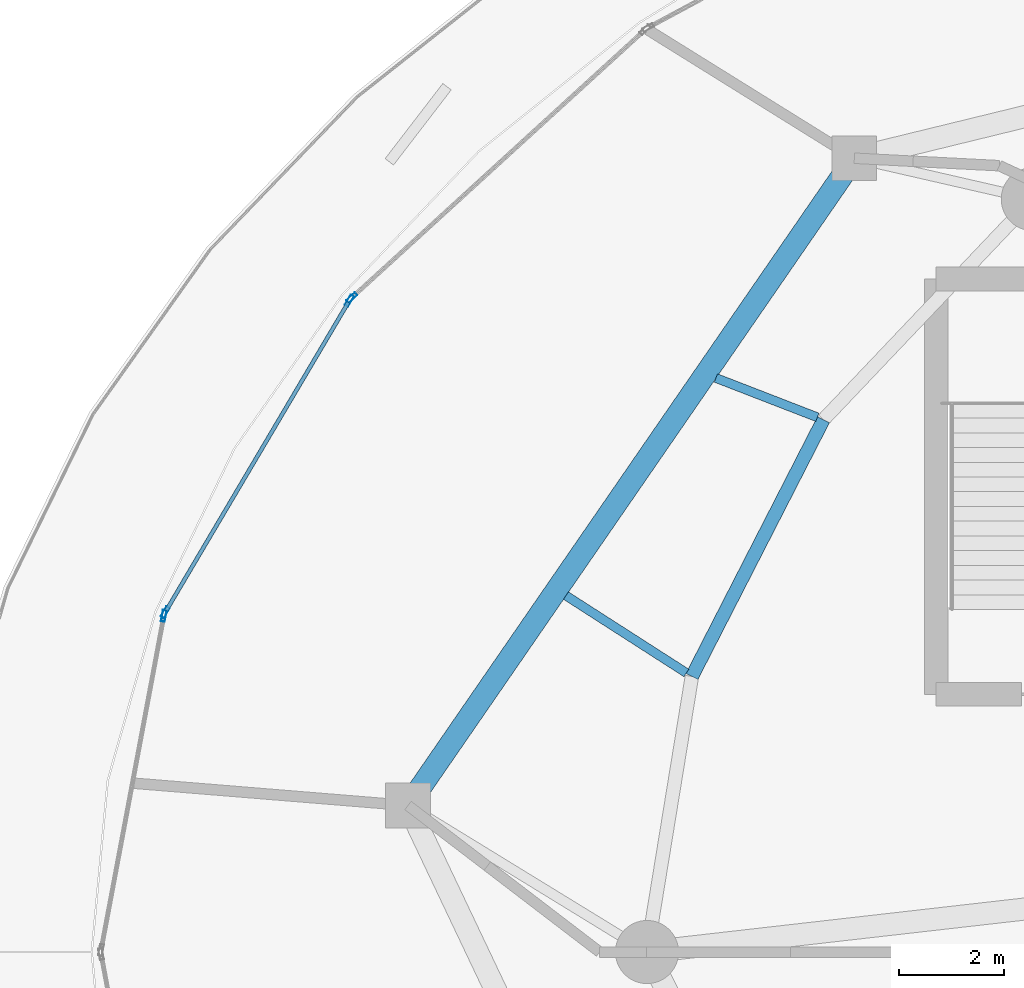
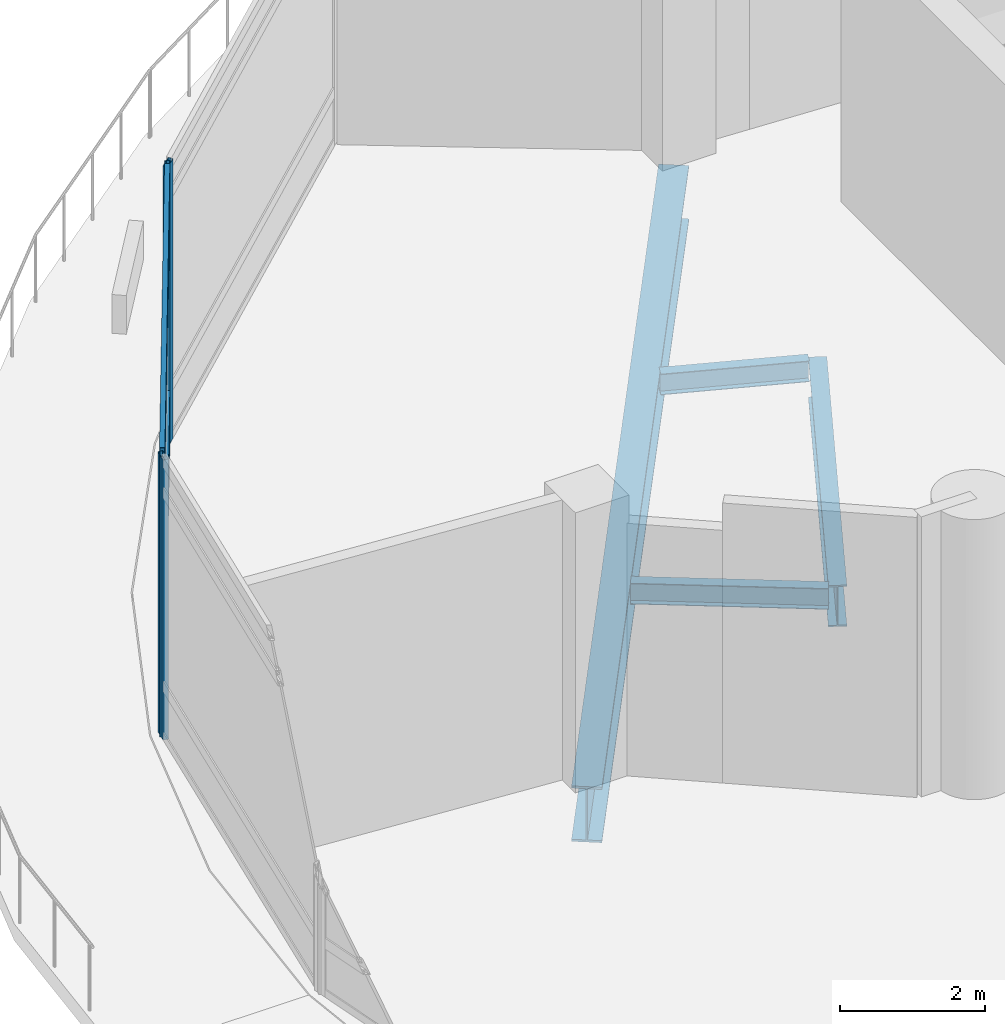
# One storey, part 13 of 36: 8 members, 4 beams, 3 elements without a shape of their own.
"""IFC4 building model written with IfcOpenShell, lengths in metres."""

from ifc_helpers import new_model, si_unit, direction, frame, origin, origin_2d, place, context, subcontext, project, spatial, hollow_rectangle, i_section, extrude, material, layer, layer_set, material_profile, profile_set, type_object, element, aggregate, save


model = new_model("IFC4")

# Units and contexts
model_context = context("Model", 3, precision=1e-05, world=origin(), true_north=direction((0.0, 1.0)))
body_context = subcontext(model_context, "Body", "Model", "MODEL_VIEW")
ifc_project = project(units=[si_unit("LENGTHUNIT", "METRE"), si_unit("AREAUNIT", "SQUARE_METRE"), si_unit("VOLUMEUNIT", "CUBIC_METRE"), si_unit("PLANEANGLEUNIT", "RADIAN"), si_unit("MASSUNIT", "GRAM", prefix="KILO")], contexts=[model_context])

# Site, building, storey
site_placement = place(None, origin())
site = spatial("IfcSite", under=ifc_project, at=site_placement, CompositionType="ELEMENT")
building_placement = place(site_placement, origin())
building = spatial("IfcBuilding", under=site, at=building_placement, Name="Nuhasar Tower", CompositionType="ELEMENT")
storey_placement = place(building_placement, frame((0.0, 0.0, 11.0)))
storey = spatial("IfcBuildingStorey", under=building, at=storey_placement, Name="L02", CompositionType="ELEMENT", Elevation=11.0)

# Beams
ifc_material_1 = material(Name="Steel S355", Category="steel")
ifc_material_profile_1 = material_profile(ifc_material_1, i_section(OverallWidth=0.1708984375, OverallDepth=0.35205078125, WebThickness=0.0068359375, FlangeThickness=0.009765625, at=origin_2d()), Name="W14X30")
ifc_profile_set_1 = profile_set([ifc_material_profile_1], Name="Steel S355")
beam_type_1 = type_object("IfcBeamType", Name="BM-JST-W14X30", PredefinedType="JOIST", material=ifc_profile_set_1)
beam_1_placement = place(storey_placement, frame((17.18994140625, 36.969970703125, -0.47607421875), z_axis=(-0.932506562789, 0.361153029001, 0.0), x_axis=(-0.361153029001, -0.932506562789, 0.0)))
element("IfcBeam", 1, at=beam_1_placement, inside=storey, type_object=beam_type_1, Name="L02 Podium Secondary Joist 13", PredefinedType="JOIST", context=body_context, shape_type="SweptSolid", body=[
    extrude(i_section(OverallWidth=0.1708984375, OverallDepth=0.35205078125, WebThickness=0.0068359375, FlangeThickness=0.009765625, at=origin_2d()), origin(), (0.0, 0.0, 1.0), 2.068603515625),
])
beam_2_placement = place(storey_placement, frame((14.698974609375, 32.10791015625, -0.47607421875), z_axis=(-0.841446405515, 0.540340583934, 0.0), x_axis=(-0.540340583934, -0.841446405515, 0.0)))
element("IfcBeam", 2, at=beam_2_placement, inside=storey, type_object=beam_type_1, Name="L02 Podium Secondary Joist 14", PredefinedType="JOIST", context=body_context, shape_type="SweptSolid", body=[
    extrude(i_section(OverallWidth=0.1708984375, OverallDepth=0.35205078125, WebThickness=0.0068359375, FlangeThickness=0.009765625, at=origin_2d()), origin(), (0.0, 0.0, 1.0), 2.72265625),
])
ifc_material_profile_2 = material_profile(ifc_material_1, i_section(OverallWidth=0.419921875, OverallDepth=0.931884765625, WebThickness=0.021240234375, FlangeThickness=0.03662109375, at=origin_2d()), Name="W36X262")
ifc_profile_set_2 = profile_set([ifc_material_profile_2], Name="Steel S355")
beam_type_2 = type_object("IfcBeamType", Name="BM-POD-W36X262", PredefinedType="BEAM", material=ifc_profile_set_2)
beam_3_placement = place(storey_placement, frame((17.89306640625, 41.89697265625, -0.76611328125), z_axis=(-0.567657789101, -0.823264619957, 0.0), x_axis=(0.823264619957, -0.567657789101, 0.0)))
element("IfcBeam", 3, at=beam_3_placement, inside=storey, type_object=beam_type_2, Name="L02 Podium Ring Girder 07", PredefinedType="BEAM", context=body_context, shape_type="SweptSolid", body=[
    extrude(i_section(OverallWidth=0.419921875, OverallDepth=0.931884765625, WebThickness=0.021240234375, FlangeThickness=0.03662109375, at=origin_2d()), origin(), (0.0, 0.0, 1.0), 14.95263671875),
])
ifc_material_profile_3 = material_profile(ifc_material_1, i_section(OverallWidth=0.256103515625, OverallDepth=0.693115234375, WebThickness=0.014404296875, FlangeThickness=0.023681640625, at=origin_2d()), Name="W27X114")
ifc_profile_set_3 = profile_set([ifc_material_profile_3], Name="Steel S355")
beam_type_3 = type_object("IfcBeamType", Name="BM-RING-W27X114", PredefinedType="SPANDREL", material=ifc_profile_set_3)
beam_4_placement = place(storey_placement, frame((17.305908203125, 36.925048828125, -0.64697265625), z_axis=(-0.455930023905, -0.890015625314, 0.0), x_axis=(0.890015625314, -0.455930023905, 0.0)))
element("IfcBeam", 4, at=beam_4_placement, inside=storey, type_object=beam_type_3, Name="L02 Mega-Column Perimeter Ring Spandrel 07-2", PredefinedType="SPANDREL", context=body_context, shape_type="SweptSolid", body=[
    extrude(i_section(OverallWidth=0.256103515625, OverallDepth=0.693115234375, WebThickness=0.014404296875, FlangeThickness=0.023681640625, at=origin_2d()), origin(), (0.0, 0.0, 1.0), 5.487548828125),
])

# Curtain wall, member
ifc_material_2 = material(Name="Aluminium 6063-T6", Category="aluminium")
ifc_layer = layer(ifc_material_2, 0.219970703125)
ifc_layer_set = layer_set([ifc_layer], Name="Aluminium 6063-T6")
curtain_wall_type = type_object("IfcCurtainWallType", Name="CW-PODIUM", PredefinedType="NOTDEFINED", material=ifc_layer_set)
curtain_wall_1_placement = place(storey_placement, origin())
curtain_wall_1 = element("IfcCurtainWall", 5, at=curtain_wall_1_placement, inside=storey, type_object=curtain_wall_type, Name="L02 Podium Curtain Wall Bay 10", PredefinedType="NOTDEFINED")
ifc_material_profile_4 = material_profile(ifc_material_2, hollow_rectangle(XDim=0.074951171875, YDim=0.219970703125, WallThickness=0.0048828125, at=origin_2d()), Name="CWM-1")
ifc_profile_set_4 = profile_set([ifc_material_profile_4], Name="Aluminium 6063-T6")
member_type_1 = type_object("IfcMemberType", Name="CW-MUL-S1", PredefinedType="MULLION", material=ifc_profile_set_4)
member_1_placement = place(storey_placement, frame((8.335693359375, 39.245361328125, 0.0), z_axis=(0.0, 0.0, 1.0), x_axis=(0.674465166517, -0.738306670127, 0.0)))
member_1 = element("IfcMember", 6, at=member_1_placement, type_object=member_type_1, Name="CW-P1 mullion 2", PredefinedType="MULLION", context=body_context, shape_type="SweptSolid", body=[
    extrude(hollow_rectangle(XDim=0.074951171875, YDim=0.219970703125, WallThickness=0.0048828125, at=origin_2d()), origin(), (0.0, 0.0, 1.0), 4.699951171875),
])
aggregate(curtain_wall_1, [member_1])

# Curtain wall, members
curtain_wall_2_placement = place(storey_placement, origin())
curtain_wall_2 = element("IfcCurtainWall", 7, at=curtain_wall_2_placement, inside=storey, type_object=curtain_wall_type, Name="L02 Podium Curtain Wall Bay 11", PredefinedType="NOTDEFINED")
member_2_placement = place(storey_placement, frame((8.288818359375, 39.187744140625, 0.0), z_axis=(0.0, 0.0, 1.0), x_axis=(0.860935110761, -0.508714787537, 0.0)))
member_2 = element("IfcMember", 8, at=member_2_placement, type_object=member_type_1, Name="CW-P1 mullion 1", PredefinedType="MULLION", context=body_context, shape_type="SweptSolid", body=[
    extrude(hollow_rectangle(XDim=0.074951171875, YDim=0.219970703125, WallThickness=0.0048828125, at=origin_2d()), origin(), (0.0, 0.0, 1.0), 4.699951171875),
])
member_3_placement = place(storey_placement, frame((4.787109375, 33.26123046875, 0.0), z_axis=(0.0, 0.0, 1.0), x_axis=(0.860935110761, -0.508714787537, 0.0)))
member_3 = element("IfcMember", 9, at=member_3_placement, type_object=member_type_1, Name="CW-P1 mullion 2", PredefinedType="MULLION", context=body_context, shape_type="SweptSolid", body=[
    extrude(hollow_rectangle(XDim=0.074951171875, YDim=0.219970703125, WallThickness=0.0048828125, at=origin_2d()), origin(), (0.0, 0.0, 1.0), 4.699951171875),
])

# Curtain wall, member
curtain_wall_3_placement = place(storey_placement, origin())
curtain_wall_3 = element("IfcCurtainWall", 10, at=curtain_wall_3_placement, inside=storey, type_object=curtain_wall_type, Name="L02 Podium Curtain Wall Bay 12", PredefinedType="NOTDEFINED")
member_4_placement = place(storey_placement, frame((4.760986328125, 33.192138671875, 0.0), z_axis=(0.0, 0.0, 1.0), x_axis=(0.982801159334, -0.184666946725, 0.0)))
member_4 = element("IfcMember", 11, at=member_4_placement, type_object=member_type_1, Name="CW-P1 mullion 1", PredefinedType="MULLION", context=body_context, shape_type="SweptSolid", body=[
    extrude(hollow_rectangle(XDim=0.074951171875, YDim=0.219970703125, WallThickness=0.0048828125, at=origin_2d()), origin(), (0.0, 0.0, 1.0), 4.699951171875),
])
aggregate(curtain_wall_3, [member_4])

# Member
ifc_material_profile_5 = material_profile(ifc_material_2, hollow_rectangle(XDim=0.074951171875, YDim=0.179931640625, WallThickness=0.00439453125, at=origin_2d()), Name="CWT-1")
ifc_profile_set_5 = profile_set([ifc_material_profile_5], Name="Aluminium 6063-T6")
member_type_2 = type_object("IfcMemberType", Name="CW-TRN-S1", PredefinedType="USERDEFINED", material=ifc_profile_set_5)
member_5_placement = place(storey_placement, frame((8.269775390625, 39.155517578125, 0.03759765625), z_axis=(-0.508694278992, -0.860947228651, 0.0), x_axis=(0.860947228651, -0.508694278992, 0.0)))
member_5 = element("IfcMember", 12, at=member_5_placement, type_object=member_type_2, Name="CW-P1 transom 1.1", ObjectType="TRANSOM", PredefinedType="USERDEFINED", context=body_context, shape_type="SweptSolid", body=[
    extrude(hollow_rectangle(XDim=0.074951171875, YDim=0.179931640625, WallThickness=0.00439453125, at=origin_2d()), origin(), (0.0, 0.0, 1.0), 6.808837890625),
])

member_6_placement = place(storey_placement, frame((8.269775390625, 39.155517578125, 0.89990234375), z_axis=(-0.508694278992, -0.860947228651, 0.0), x_axis=(0.860947228651, -0.508694278992, 0.0)))
member_6 = element("IfcMember", 13, at=member_6_placement, type_object=member_type_2, Name="CW-P1 transom 1.2", ObjectType="TRANSOM", PredefinedType="USERDEFINED", context=body_context, shape_type="SweptSolid", body=[
    extrude(hollow_rectangle(XDim=0.074951171875, YDim=0.179931640625, WallThickness=0.00439453125, at=origin_2d()), origin(), (0.0, 0.0, 1.0), 6.808837890625),
])

member_7_placement = place(storey_placement, frame((8.269775390625, 39.155517578125, 4.14990234375), z_axis=(-0.508694278992, -0.860947228651, 0.0), x_axis=(0.860947228651, -0.508694278992, 0.0)))
member_7 = element("IfcMember", 14, at=member_7_placement, type_object=member_type_2, Name="CW-P1 transom 1.3", ObjectType="TRANSOM", PredefinedType="USERDEFINED", context=body_context, shape_type="SweptSolid", body=[
    extrude(hollow_rectangle(XDim=0.074951171875, YDim=0.179931640625, WallThickness=0.00439453125, at=origin_2d()), origin(), (0.0, 0.0, 1.0), 6.808837890625),
])

member_8_placement = place(storey_placement, frame((8.269775390625, 39.155517578125, 4.66259765625), z_axis=(-0.508694278992, -0.860947228651, 0.0), x_axis=(0.860947228651, -0.508694278992, 0.0)))
member_8 = element("IfcMember", 15, at=member_8_placement, type_object=member_type_2, Name="CW-P1 transom 1.4", ObjectType="TRANSOM", PredefinedType="USERDEFINED", context=body_context, shape_type="SweptSolid", body=[
    extrude(hollow_rectangle(XDim=0.074951171875, YDim=0.179931640625, WallThickness=0.00439453125, at=origin_2d()), origin(), (0.0, 0.0, 1.0), 6.808837890625),
])

aggregate(curtain_wall_2, [member_2, member_3, member_5, member_6, member_7, member_8])

save(model, "model.ifc")
